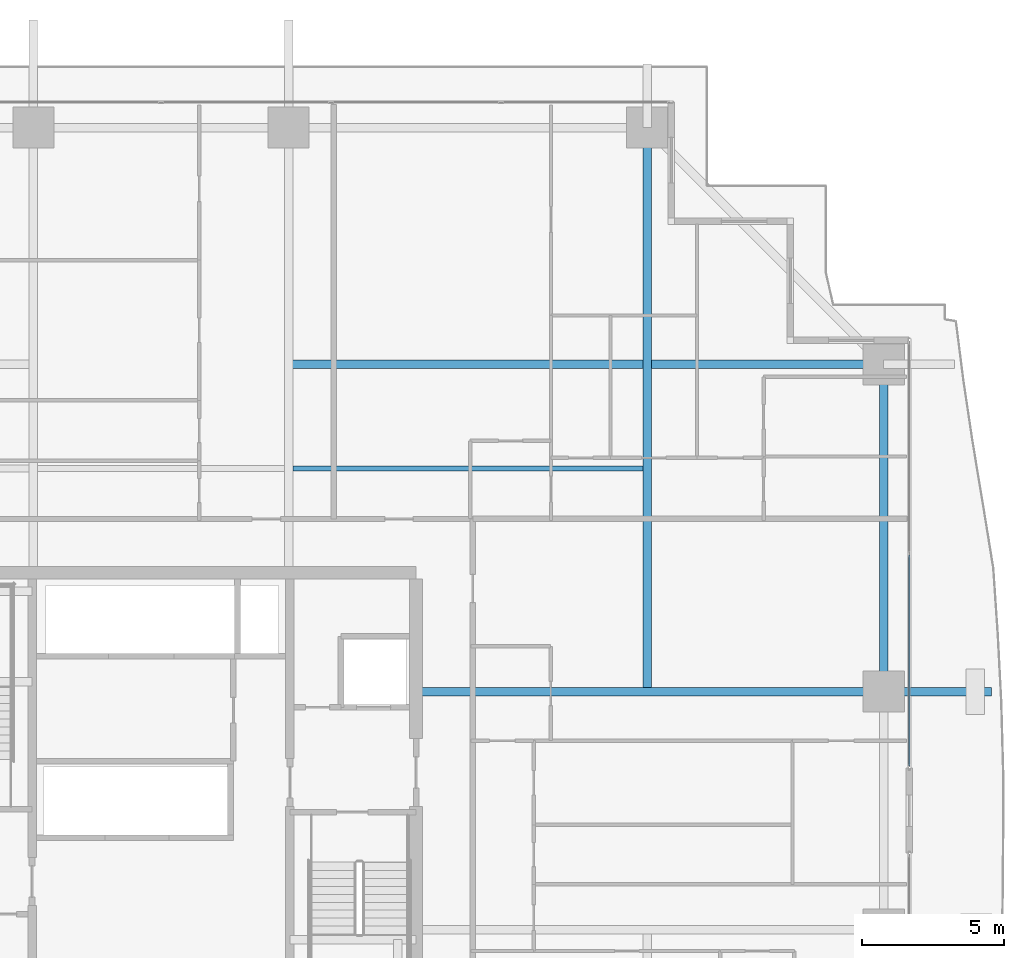
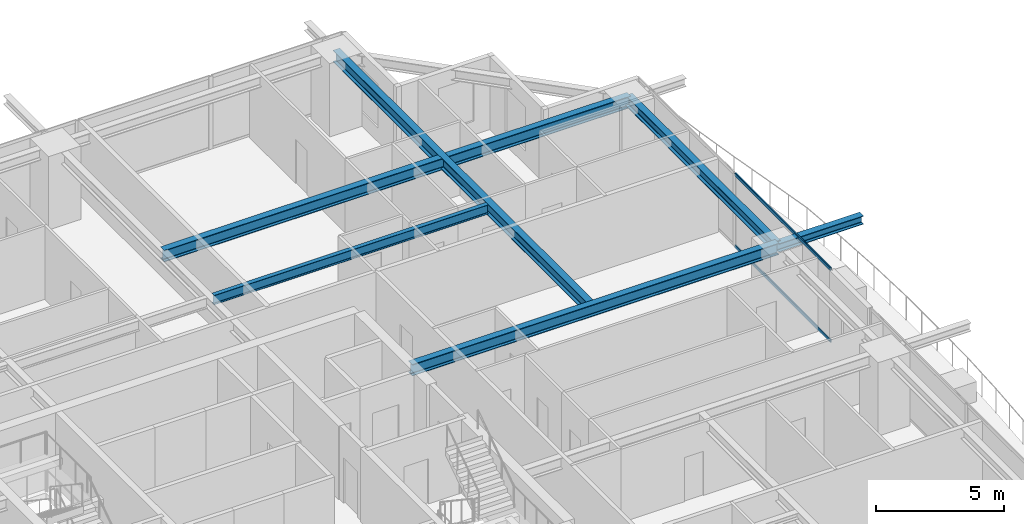
# One storey, part 22 of 39: 6 beams, 2 members, 1 element without a shape of its own.
"""IFC4 building model written with IfcOpenShell, lengths in metres."""

import ifcopenshell
import ifcopenshell.guid

model = None  # the IFC model being written
_history = None  # IfcOwnerHistory: only IFC2X3 demands one
_inside = {}  # id of a spatial element -> (the spatial element, [elements in it])
_under = {}  # id of a project, library or spatial element -> (it, [spatial elements below it])
_declared = {}  # id of a project -> (the project, [libraries it declares])
_typed = {}  # id of a type object -> (the type object, [elements of that type])
_made_of = {}  # id of a material, layer set ... -> (it, [elements and type objects made of it])


def new_model(schema):
    """Start an empty IFC model of exactly this schema.

    Asked for "IFC4X3", IfcOpenShell would pick the latest addendum, in which some entities
    have other attributes; the version numbers below select the first issue.
    IFC2X3 requires an IfcOwnerHistory on every rooted entity: one is made here for all.
    """
    global model, _history
    if schema == "IFC4X3":
        model = ifcopenshell.file(schema_version=(4, 3, 0, 0))
    else:
        model = ifcopenshell.file(schema=schema)
    _inside.clear()
    _under.clear()
    _declared.clear()
    _typed.clear()
    _made_of.clear()
    _history = None
    if model.schema == "IFC2X3":
        org = make("IfcOrganization", Name="unknown")
        user = make(
            "IfcPersonAndOrganization",
            ThePerson=make("IfcPerson", FamilyName="unknown"),
            TheOrganization=org,
        )
        app = make(
            "IfcApplication",
            ApplicationDeveloper=org,
            Version="unknown",
            ApplicationFullName="unknown",
            ApplicationIdentifier="unknown",
        )
        _history = make(
            "IfcOwnerHistory",
            OwningUser=user,
            OwningApplication=app,
            ChangeAction="ADDED",
            CreationDate=0,
        )
    return model


def make(cls, **values):
    """One entity of the class cls with the attributes given. An attribute that is None is left unset."""
    return model.create_entity(
        cls, **{name: value for name, value in values.items() if value is not None}
    )


def rooted(cls, **values):
    """An entity with a GlobalId (a new one), such as an element, a storey or a relation."""
    return make(cls, GlobalId=ifcopenshell.guid.new(), OwnerHistory=_history, **values)


def si_unit(unit_type, name, prefix=None):
    """IfcSIUnit, for example si_unit("LENGTHUNIT", "METRE", prefix="MILLI")."""
    return make("IfcSIUnit", UnitType=unit_type, Prefix=prefix, Name=name)


def assignment(units):
    """IfcUnitAssignment: the units of a project."""
    return None if units is None else make("IfcUnitAssignment", Units=units)


def point(xyz):
    """IfcCartesianPoint."""
    return None if xyz is None else make("IfcCartesianPoint", Coordinates=xyz)


def direction(xyz):
    """IfcDirection."""
    return None if xyz is None else make("IfcDirection", DirectionRatios=xyz)


def frame(location, z_axis=None, x_axis=None):
    """IfcAxis2Placement3D, a coordinate frame: its origin and axes. An axis left out is left unset."""
    return make(
        "IfcAxis2Placement3D",
        Location=point(location),
        Axis=direction(z_axis),
        RefDirection=direction(x_axis),
    )


def frame_2d(location, x_axis=None):
    """IfcAxis2Placement2D, a coordinate frame in the plane: its origin and x axis."""
    return make(
        "IfcAxis2Placement2D", Location=point(location), RefDirection=direction(x_axis)
    )


def origin():
    """The frame at (0, 0, 0) with its axes left unset."""
    return frame((0.0, 0.0, 0.0))


def origin_2d():
    """The frame at (0, 0) in the plane with its x axis left unset."""
    return frame_2d((0.0, 0.0))


def place(relative_to, where):
    """IfcLocalPlacement: puts the frame where relative to a parent placement (None: the world)."""
    return make(
        "IfcLocalPlacement", PlacementRelTo=relative_to, RelativePlacement=where
    )


def context(
    kind, dimensions, precision=None, world=None, true_north=None, identifier=None
):
    """IfcGeometricRepresentationContext, for example the 3D "Model" context."""
    return make(
        "IfcGeometricRepresentationContext",
        ContextIdentifier=identifier,
        ContextType=kind,
        CoordinateSpaceDimension=dimensions,
        Precision=precision,
        WorldCoordinateSystem=world,
        TrueNorth=true_north,
    )


def subcontext(parent, identifier, kind, view, scale=None):
    """IfcGeometricRepresentationSubContext, for example "Body" below "Model"."""
    return make(
        "IfcGeometricRepresentationSubContext",
        ContextIdentifier=identifier,
        ContextType=kind,
        ParentContext=parent,
        TargetScale=scale,
        TargetView=view,
    )


def project(units=None, contexts=None):
    """IfcProject with its units and contexts."""
    return rooted(
        "IfcProject",
        Name="project",
        RepresentationContexts=contexts,
        UnitsInContext=assignment(units),
    )


def spatial(cls, under=None, at=None, **own):
    """A site, building, storey or space (cls), placed at a placement, below another one or the project."""
    s = rooted(cls, ObjectPlacement=at, **own)
    if under is not None:
        _under.setdefault(under.id(), (under, []))[1].append(s)
    return s


def profile(cls, at=None, kind="AREA", **sizes):
    """A parametric profile (cls). Its sizes go by their IFC names, for example OverallWidth=200.0."""
    return make(cls, ProfileType=kind, Position=at, **sizes)


def hollow_rectangle(**sizes):
    """IfcRectangleHollowProfileDef."""
    return profile("IfcRectangleHollowProfileDef", **sizes)


def i_section(**sizes):
    """IfcIShapeProfileDef."""
    return profile("IfcIShapeProfileDef", **sizes)


def extrude(swept, where, along, depth):
    """IfcExtrudedAreaSolid: the profile swept, set in the frame where, extruded along a direction by depth."""
    return make(
        "IfcExtrudedAreaSolid",
        SweptArea=swept,
        Position=where,
        ExtrudedDirection=direction(along),
        Depth=depth,
    )


def shape(context_of_items, identifier, shape_type, items):
    """IfcShapeRepresentation: the items that make up one representation, for example the "Body"."""
    return make(
        "IfcShapeRepresentation",
        ContextOfItems=context_of_items,
        RepresentationIdentifier=identifier,
        RepresentationType=shape_type,
        Items=items,
    )


def source(mapping_origin, context_of_items, identifier, shape_type, items):
    """IfcRepresentationMap: a shape defined once, which mapped items show again and again."""
    return make(
        "IfcRepresentationMap",
        MappingOrigin=mapping_origin,
        MappedRepresentation=shape(context_of_items, identifier, shape_type, items),
    )


def transform(
    local_origin,
    x_axis=None,
    y_axis=None,
    z_axis=None,
    scale=None,
    scale2=None,
    scale3=None,
    uniform=True,
):
    """IfcCartesianTransformationOperator3D, or its non-uniform kind. x_axis, y_axis, z_axis: its Axis1, 2, 3."""
    if uniform:
        return make(
            "IfcCartesianTransformationOperator3D",
            Axis1=direction(x_axis),
            Axis2=direction(y_axis),
            LocalOrigin=point(local_origin),
            Scale=scale,
            Axis3=direction(z_axis),
        )
    return make(
        "IfcCartesianTransformationOperator3DnonUniform",
        Axis1=direction(x_axis),
        Axis2=direction(y_axis),
        LocalOrigin=point(local_origin),
        Scale=scale,
        Axis3=direction(z_axis),
        Scale2=scale2,
        Scale3=scale3,
    )


def mapped(mapping_source, mapping_target):
    """IfcMappedItem: shows the shape of a source again, moved by a transform."""
    return make(
        "IfcMappedItem", MappingSource=mapping_source, MappingTarget=mapping_target
    )


def material(Name=None, Category=None):
    """IfcMaterial."""
    return make("IfcMaterial", Name=Name, Category=Category)


def layer(
    of_material, thickness, ventilated=None, Name=None, Category=None, Priority=None
):
    """IfcMaterialLayer: one layer of a wall or slab, of a material (None: an air gap)."""
    return make(
        "IfcMaterialLayer",
        Material=of_material,
        LayerThickness=thickness,
        IsVentilated=ventilated,
        Name=Name,
        Category=Category,
        Priority=Priority,
    )


def layer_set(layers, Name=None):
    """IfcMaterialLayerSet."""
    return make("IfcMaterialLayerSet", MaterialLayers=layers, LayerSetName=Name)


def material_profile(
    of_material, cross_section, Name=None, Category=None, Priority=None
):
    """IfcMaterialProfile: a cross section and its material."""
    return make(
        "IfcMaterialProfile",
        Name=Name,
        Material=of_material,
        Profile=cross_section,
        Priority=Priority,
        Category=Category,
    )


def profile_set(profiles, Name=None, composite=None):
    """IfcMaterialProfileSet."""
    return make(
        "IfcMaterialProfileSet",
        Name=Name,
        MaterialProfiles=profiles,
        CompositeProfile=composite,
    )


def made_of(thing, what):
    """Note that an element or type object is made of a material, layer set ...; save() writes the relation."""
    if what is not None:
        _made_of.setdefault(what.id(), (what, []))[1].append(thing)
    return thing


def type_object(cls, material=None, **own):
    """A type object (cls), such as IfcWallType, which elements share."""
    return made_of(rooted(cls, **own), material)


def element(
    cls,
    number,
    at=None,
    inside=None,
    cuts=None,
    type_object=None,
    material=None,
    context=None,
    identifier="Body",
    shape_type=None,
    held_by="IfcProductDefinitionShape",
    body=None,
    shapes=None,
    **own,
):
    """One element of the class cls, such as IfcWall. Its Tag is "e" and its number.

    at: its placement. inside: the storey or other place that contains it. cuts: it is an
    opening in that element (IfcRelVoidsElement). A single representation is given by context,
    identifier, shape_type and body (its items); several are given by shapes. held_by: the class
    of the entity that holds the representations. save() writes the other relations.
    """
    e = rooted(cls, Tag="e%d" % number, ObjectPlacement=at, **own)
    if body is not None:
        shapes = [shape(context, identifier, shape_type, body)]
    if shapes is not None:
        e.Representation = make(held_by, Representations=shapes)
    if inside is not None:
        _inside.setdefault(inside.id(), (inside, []))[1].append(e)
    if cuts is not None:
        rooted(
            "IfcRelVoidsElement", RelatingBuildingElement=cuts, RelatedOpeningElement=e
        )
    if type_object is not None:
        _typed.setdefault(type_object.id(), (type_object, []))[1].append(e)
    return made_of(e, material)


def aggregate(whole, parts):
    """IfcRelAggregates: a whole, such as a stair, and the parts it consists of."""
    return rooted("IfcRelAggregates", RelatingObject=whole, RelatedObjects=parts)


def save(model, path):
    """Write the relations noted so far, then the file.

    IfcRelAggregates (storeys below a building ...), IfcRelContainedInSpatialStructure (elements
    in a storey), IfcRelDefinesByType, IfcRelAssociatesMaterial and IfcRelDeclares: one each for
    every whole, place, type object, material and project.
    """
    for whole, parts in _under.values():
        aggregate(whole, parts)
    for where, things in _inside.values():
        rooted(
            "IfcRelContainedInSpatialStructure",
            RelatedElements=things,
            RelatingStructure=where,
        )
    for kind, things in _typed.values():
        rooted("IfcRelDefinesByType", RelatedObjects=things, RelatingType=kind)
    for what, things in _made_of.values():
        rooted("IfcRelAssociatesMaterial", RelatedObjects=things, RelatingMaterial=what)
    for by, libraries in _declared.values():
        rooted("IfcRelDeclares", RelatingContext=by, RelatedDefinitions=libraries)
    model.write(path)


model = new_model("IFC4")

# Units and contexts
model_context = context("Model", 3, precision=1e-05, world=origin(), true_north=direction((0.0, 1.0)))
body_context = subcontext(model_context, "Body", "Model", "MODEL_VIEW")
ifc_project = project(units=[si_unit("LENGTHUNIT", "METRE"), si_unit("AREAUNIT", "SQUARE_METRE"), si_unit("VOLUMEUNIT", "CUBIC_METRE"), si_unit("PLANEANGLEUNIT", "RADIAN"), si_unit("MASSUNIT", "GRAM", prefix="KILO")], contexts=[model_context])

# Site, building, storey
site_placement = place(None, origin())
site = spatial("IfcSite", under=ifc_project, at=site_placement, CompositionType="ELEMENT")
building_placement = place(site_placement, origin())
building = spatial("IfcBuilding", under=site, at=building_placement, Name="Serunith Strait Residences", CompositionType="ELEMENT")
storey_placement = place(building_placement, frame((0.0, 0.0, 49.199951171875)))
storey = spatial("IfcBuildingStorey", under=building, at=storey_placement, Name="L11", CompositionType="ELEMENT", Elevation=49.199951171875)

# Beams
ifc_material_1 = material(Name="Steel S355J2", Category="steel")
ifc_material_profile_1 = material_profile(ifc_material_1, i_section(OverallWidth=0.300048828125, OverallDepth=0.550048828125, WebThickness=0.014892578125, FlangeThickness=0.029052734375, FilletRadius=0.027099609375, at=origin_2d()), Name="HEB 550")
ifc_profile_set_1 = profile_set([ifc_material_profile_1], Name="Steel S355J2")
beam_type_1 = type_object("IfcBeamType", Name="BM-HEB550", PredefinedType="BEAM", material=ifc_profile_set_1)
shared_shape_1 = source(origin(), body_context, "Body", "SweptSolid", [
    extrude(i_section(OverallWidth=0.300048828125, OverallDepth=0.550048828125, WebThickness=0.014892578125, FlangeThickness=0.029052734375, FilletRadius=0.027099609375, at=origin_2d()), origin(), (0.0, 0.0, 1.0), 16.5),
])
beam_1_placement = place(storey_placement, frame((41.39990234375, 29.39990234375, 3.212158203125), z_axis=(1.0, 0.0, 0.0), x_axis=(0.0, 1.0, 0.0)))
element("IfcBeam", 1, at=beam_1_placement, inside=storey, type_object=beam_type_1, Name="L11 Primary Floor Girder TC-E3", PredefinedType="BEAM", context=body_context, shape_type="MappedRepresentation", body=[
    mapped(shared_shape_1, transform((0.0, 0.0, 0.0), scale=1.0)),
])
shared_shape_2 = source(origin(), body_context, "Body", "SweptSolid", [
    extrude(i_section(OverallWidth=0.300048828125, OverallDepth=0.550048828125, WebThickness=0.014892578125, FlangeThickness=0.029052734375, FilletRadius=0.027099609375, at=origin_2d()), origin(), (0.0, 0.0, 1.0), 19.900146484375),
])
beam_2_placement = place(storey_placement, frame((49.550048828125, 29.39990234375, 3.212158203125), z_axis=(0.0, 1.0, 0.0), x_axis=(-1.0, 0.0, 0.0)))
element("IfcBeam", 2, at=beam_2_placement, inside=storey, type_object=beam_type_1, Name="L11 Orthogonal Corner Girder TC-N4", PredefinedType="BEAM", context=body_context, shape_type="MappedRepresentation", body=[
    mapped(shared_shape_2, transform((0.0, 0.0, 0.0), scale=1.0)),
])
shared_shape_3 = source(origin(), body_context, "Body", "SweptSolid", [
    extrude(i_section(OverallWidth=0.300048828125, OverallDepth=0.550048828125, WebThickness=0.014892578125, FlangeThickness=0.029052734375, FilletRadius=0.027099609375, at=origin_2d()), origin(), (0.0, 0.0, 1.0), 21.0),
])
beam_3_placement = place(storey_placement, frame((36.89990234375, 40.949951171875, 3.212158203125), z_axis=(1.0, 0.0, 0.0), x_axis=(0.0, 1.0, 0.0)))
element("IfcBeam", 3, at=beam_3_placement, inside=storey, type_object=beam_type_1, Name="L11 Orthogonal Corner Girder TC-E4", PredefinedType="BEAM", context=body_context, shape_type="MappedRepresentation", body=[
    mapped(shared_shape_3, transform((0.0, 0.0, 0.0), scale=1.0)),
])
ifc_material_profile_2 = material_profile(ifc_material_1, i_section(OverallWidth=0.300048828125, OverallDepth=0.5, WebThickness=0.014404296875, FlangeThickness=0.028076171875, FilletRadius=0.027099609375, at=origin_2d()), Name="HEB 500")
ifc_profile_set_2 = profile_set([ifc_material_profile_2], Name="Steel S355J2")
beam_type_2 = type_object("IfcBeamType", Name="BM-HEB500", PredefinedType="BEAM", material=ifc_profile_set_2)
shared_shape_4 = source(origin(), body_context, "Body", "SweptSolid", [
    extrude(i_section(OverallWidth=0.300048828125, OverallDepth=0.5, WebThickness=0.014404296875, FlangeThickness=0.028076171875, FilletRadius=0.027099609375, at=origin_2d()), origin(), (0.0, 0.0, 1.0), 11.550048828125),
])
beam_4_placement = place(storey_placement, frame((57.89990234375, 29.39990234375, 3.237060546875), z_axis=(0.0, 1.0, 0.0), x_axis=(-1.0, 0.0, 0.0)))
element("IfcBeam", 4, at=beam_4_placement, inside=storey, type_object=beam_type_2, Name="L11 Perimeter Ring Beam 07", PredefinedType="BEAM", context=body_context, shape_type="MappedRepresentation", body=[
    mapped(shared_shape_4, transform((0.0, 0.0, 0.0), scale=1.0)),
])
ifc_material_profile_3 = material_profile(ifc_material_1, i_section(OverallWidth=0.300048828125, OverallDepth=0.39990234375, WebThickness=0.013427734375, FlangeThickness=0.02392578125, FilletRadius=0.027099609375, at=origin_2d()), Name="HEB 400")
ifc_profile_set_3 = profile_set([ifc_material_profile_3], Name="Steel S355J2")
beam_type_3 = type_object("IfcBeamType", Name="BM-HEB400", PredefinedType="BEAM", material=ifc_profile_set_3)
shared_shape_5 = source(origin(), body_context, "Body", "SweptSolid", [
    extrude(i_section(OverallWidth=0.300048828125, OverallDepth=0.39990234375, WebThickness=0.013427734375, FlangeThickness=0.02392578125, FilletRadius=0.027099609375, at=origin_2d()), origin(), (0.0, 0.0, 1.0), 3.800048828125),
])
beam_5_placement = place(storey_placement, frame((57.89990234375, 29.39990234375, 3.257080078125), z_axis=(1.0, 0.0, 0.0), x_axis=(0.0, 1.0, 0.0)))
element("IfcBeam", 5, at=beam_5_placement, inside=storey, type_object=beam_type_3, Name="L12 Cantilevered Balcony Rib TC-E3", PredefinedType="BEAM", context=body_context, shape_type="MappedRepresentation", body=[
    mapped(shared_shape_5, transform((0.0, 0.0, 0.0), scale=1.0)),
])
ifc_material_profile_4 = material_profile(ifc_material_1, i_section(OverallWidth=0.18994140625, OverallDepth=0.449951171875, WebThickness=0.009521484375, FlangeThickness=0.0146484375, FilletRadius=0.02099609375, at=origin_2d()), Name="IPE 450")
ifc_profile_set_4 = profile_set([ifc_material_profile_4], Name="Steel S355J2")
beam_type_4 = type_object("IfcBeamType", Name="BM-IPE450", PredefinedType="JOIST", material=ifc_profile_set_4)
shared_shape_6 = source(origin(), body_context, "Body", "SweptSolid", [
    extrude(i_section(OverallWidth=0.18994140625, OverallDepth=0.449951171875, WebThickness=0.009521484375, FlangeThickness=0.0146484375, FilletRadius=0.02099609375, at=origin_2d()), origin(), (0.0, 0.0, 1.0), 12.349853515625),
])
beam_6_placement = place(storey_placement, frame((37.050048828125, 37.27490234375, 3.261962890625), z_axis=(1.0, 0.0, 0.0), x_axis=(0.0, 1.0, 0.0)))
element("IfcBeam", 6, at=beam_6_placement, inside=storey, type_object=beam_type_4, Name="L11 Composite Floor Joist 06", PredefinedType="JOIST", context=body_context, shape_type="MappedRepresentation", body=[
    mapped(shared_shape_6, transform((0.0, 0.0, 0.0), scale=1.0)),
])

# Curtain wall, members
ifc_material_2 = material(Name="Pale-Champagne Anodised Aluminium", Category="aluminium")
ifc_layer = layer(ifc_material_2, 0.199951171875, Name="Pale-Champagne Anodised Aluminium")
ifc_layer_set = layer_set([ifc_layer], Name="Pale-Champagne Anodised Aluminium")
curtain_wall_type = type_object("IfcCurtainWallType", Name="CW-SYS1", PredefinedType="NOTDEFINED", material=ifc_layer_set)
curtain_wall_placement = place(storey_placement, origin())
curtain_wall = element("IfcCurtainWall", 7, at=curtain_wall_placement, inside=storey, type_object=curtain_wall_type, Name="L11 E Unitised Fritted Curtain Wall", PredefinedType="NOTDEFINED")
ifc_material_profile_5 = material_profile(ifc_material_2, hollow_rectangle(XDim=0.06005859375, YDim=0.159912109375, WallThickness=0.00341796875, InnerFilletRadius=0.00537109375, OuterFilletRadius=0.0087890625, at=origin_2d()), Name="ALU 160x60x3.5")
ifc_profile_set_5 = profile_set([ifc_material_profile_5], Name="Pale-Champagne Anodised Aluminium")
member_type = type_object("IfcMemberType", Name="CW-SYS1-TRAN", PredefinedType="USERDEFINED", material=ifc_profile_set_5)
shared_shape_7 = source(origin(), body_context, "Body", "SweptSolid", [
    extrude(hollow_rectangle(XDim=0.06005859375, YDim=0.159912109375, WallThickness=0.00341796875, InnerFilletRadius=0.00537109375, OuterFilletRadius=0.0087890625, at=origin_2d()), origin(), (0.0, 0.0, 1.0), 7.445068359375),
])
member_1_placement = place(storey_placement, frame((58.800048828125, 26.77001953125, 0.030029296875), z_axis=(0.0, 1.0, 0.0), x_axis=(-1.0, 0.0, 0.0)))
member_1 = element("IfcMember", 8, at=member_1_placement, type_object=member_type, Name="CW-1 transom 1.1", ObjectType="TRANSOM", PredefinedType="USERDEFINED", context=body_context, shape_type="MappedRepresentation", body=[
    mapped(shared_shape_7, transform((0.0, 0.0, 0.0), scale=1.0)),
])
member_2_placement = place(storey_placement, frame((58.800048828125, 26.77001953125, 3.445068359375), z_axis=(0.0, 1.0, 0.0), x_axis=(-1.0, 0.0, 0.0)))
member_2 = element("IfcMember", 9, at=member_2_placement, type_object=member_type, Name="CW-1 transom 1.2", ObjectType="TRANSOM", PredefinedType="USERDEFINED", context=body_context, shape_type="MappedRepresentation", body=[
    mapped(shared_shape_7, transform((0.0, 0.0, 0.0), scale=1.0)),
])
aggregate(curtain_wall, [member_1, member_2])

save(model, "model.ifc")
